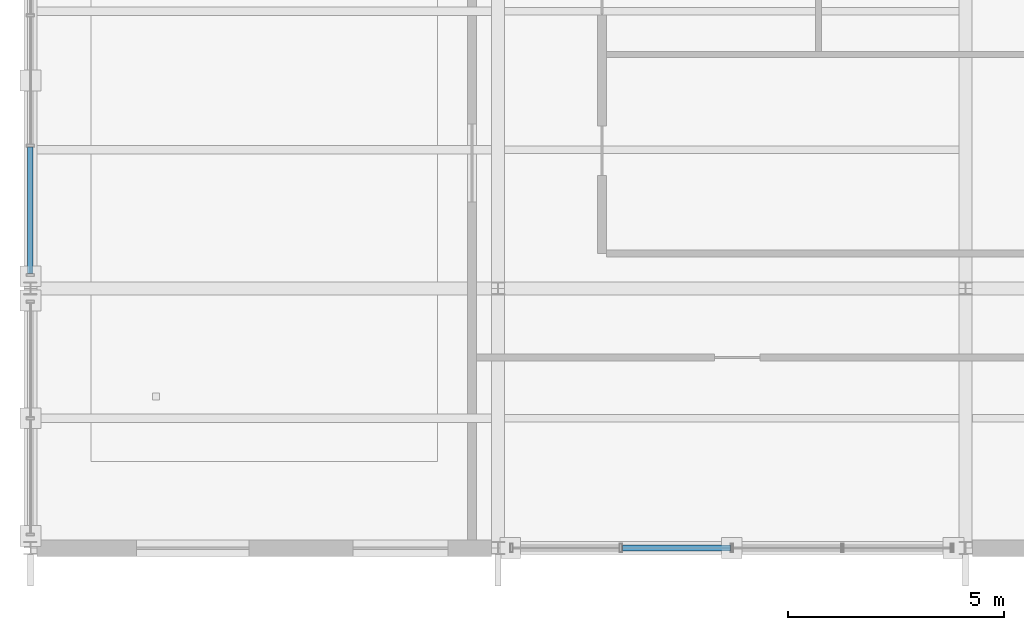
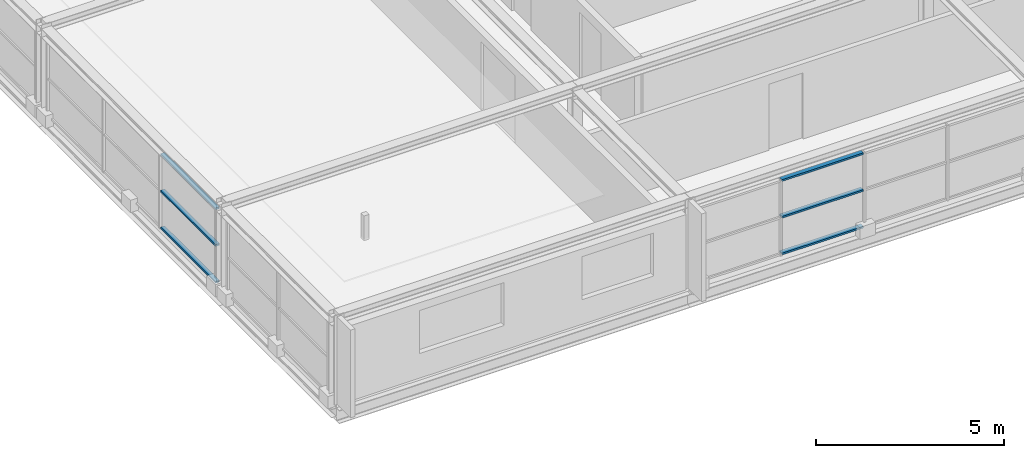
# One storey, part 4 of 14: 6 members, 2 elements without a shape of their own.
"""IFC4 building model written with IfcOpenShell, lengths in metres."""

from ifc_helpers import new_model, si_unit, direction, frame, origin, origin_2d, place, context, subcontext, project, spatial, hollow_rectangle, extrude, material, material_profile, profile_set, type_object, element, aggregate, save


model = new_model("IFC4")

# Units and contexts
model_context = context("Model", 3, precision=1e-05, world=origin(), true_north=direction((0.0, 1.0)))
body_context = subcontext(model_context, "Body", "Model", "MODEL_VIEW")
ifc_project = project(units=[si_unit("LENGTHUNIT", "METRE"), si_unit("AREAUNIT", "SQUARE_METRE"), si_unit("VOLUMEUNIT", "CUBIC_METRE"), si_unit("PLANEANGLEUNIT", "RADIAN"), si_unit("MASSUNIT", "GRAM", prefix="KILO")], contexts=[model_context])

# Site, building, storey
site_placement = place(None, origin())
site = spatial("IfcSite", under=ifc_project, at=site_placement, CompositionType="ELEMENT")
building_placement = place(site_placement, origin())
building = spatial("IfcBuilding", under=site, at=building_placement, Name="Merenkruunu Market Hall", CompositionType="ELEMENT")
storey_placement = place(building_placement, frame((0.0, 0.0, 18.60009765625)))
storey = spatial("IfcBuildingStorey", under=building, at=storey_placement, Name="L04", CompositionType="ELEMENT", Elevation=18.60009765625)

# Curtain wall, members
ifc_material = material(Name="Powder-coated aluminium", Category="aluminium")
curtain_wall_type = type_object("IfcCurtainWallType", Name="Glazed Curtain Wall CW08", PredefinedType="USERDEFINED", material=ifc_material)
curtain_wall_1_placement = place(storey_placement, origin())
curtain_wall_1 = element("IfcCurtainWall", 1, at=curtain_wall_1_placement, inside=storey, type_object=curtain_wall_type, Name="CW-L04-CWM02-226", ObjectType="GLAZED_FACADE", PredefinedType="USERDEFINED")
ifc_material_profile_1 = material_profile(ifc_material, hollow_rectangle(XDim=0.06005859375, YDim=0.125, WallThickness=0.00390625, at=origin_2d()), Name="ALU 60x125x4")
ifc_profile_set_1 = profile_set([ifc_material_profile_1], Name="Powder-coated aluminium")
member_type_1 = type_object("IfcMemberType", Name="Curtain Wall Transom CWT01", PredefinedType="USERDEFINED", material=ifc_profile_set_1)
member_1_placement = place(storey_placement, frame((159.60009765625, 6.340087890625, 0.02978515625), z_axis=(0.0, 1.0, 0.0), x_axis=(0.0, 0.0, 1.0)))
member_1 = element("IfcMember", 2, at=member_1_placement, type_object=member_type_1, Name="CW08 transom 1.1", ObjectType="TRANSOM", PredefinedType="USERDEFINED", context=body_context, shape_type="SweptSolid", body=[
    extrude(hollow_rectangle(XDim=0.06005859375, YDim=0.125, WallThickness=0.00390625, at=origin_2d()), origin(), (0.0, 0.0, 1.0), 2.92333984375),
])
member_2_placement = place(storey_placement, frame((159.60009765625, 6.340087890625, 1.224853515625), z_axis=(0.0, 1.0, 0.0), x_axis=(0.0, 0.0, 1.0)))
member_2 = element("IfcMember", 3, at=member_2_placement, type_object=member_type_1, Name="CW08 transom 1.2", ObjectType="TRANSOM", PredefinedType="USERDEFINED", context=body_context, shape_type="SweptSolid", body=[
    extrude(hollow_rectangle(XDim=0.06005859375, YDim=0.125, WallThickness=0.00390625, at=origin_2d()), origin(), (0.0, 0.0, 1.0), 2.92333984375),
])
member_3_placement = place(storey_placement, frame((159.60009765625, 6.340087890625, 2.419921875), z_axis=(0.0, 1.0, 0.0), x_axis=(0.0, 0.0, 1.0)))
member_3 = element("IfcMember", 4, at=member_3_placement, type_object=member_type_1, Name="CW08 transom 1.3", ObjectType="TRANSOM", PredefinedType="USERDEFINED", context=body_context, shape_type="SweptSolid", body=[
    extrude(hollow_rectangle(XDim=0.06005859375, YDim=0.125, WallThickness=0.00390625, at=origin_2d()), origin(), (0.0, 0.0, 1.0), 2.92333984375),
])
aggregate(curtain_wall_1, [member_1, member_2, member_3])

curtain_wall_2_placement = place(storey_placement, origin())
curtain_wall_2 = element("IfcCurtainWall", 5, at=curtain_wall_2_placement, inside=storey, type_object=curtain_wall_type, Name="CW-L04-CWM03-223", ObjectType="GLAZED_FACADE", PredefinedType="USERDEFINED")
ifc_material_profile_2 = material_profile(ifc_material, hollow_rectangle(XDim=0.06005859375, YDim=0.139892578125, WallThickness=0.00390625, at=origin_2d()), Name="ALU 60x140x4")
ifc_profile_set_2 = profile_set([ifc_material_profile_2], Name="Powder-coated aluminium")
member_type_2 = type_object("IfcMemberType", Name="Curtain Wall Transom CWT02", PredefinedType="USERDEFINED", material=ifc_profile_set_2)
member_4_placement = place(storey_placement, frame((175.77001953125, 0.0, 0.02978515625), z_axis=(-1.0, 0.0, 0.0), x_axis=(0.0, 0.0, 1.0)))
member_4 = element("IfcMember", 6, at=member_4_placement, type_object=member_type_2, Name="CW08 transom 3.1", ObjectType="TRANSOM", PredefinedType="USERDEFINED", context=body_context, shape_type="SweptSolid", body=[
    extrude(hollow_rectangle(XDim=0.06005859375, YDim=0.139892578125, WallThickness=0.00390625, at=origin_2d()), origin(), (0.0, 0.0, 1.0), 2.5),
])
member_5_placement = place(storey_placement, frame((175.77001953125, 0.0, 1.224853515625), z_axis=(-1.0, 0.0, 0.0), x_axis=(0.0, 0.0, 1.0)))
member_5 = element("IfcMember", 7, at=member_5_placement, type_object=member_type_2, Name="CW08 transom 3.2", ObjectType="TRANSOM", PredefinedType="USERDEFINED", context=body_context, shape_type="SweptSolid", body=[
    extrude(hollow_rectangle(XDim=0.06005859375, YDim=0.139892578125, WallThickness=0.00390625, at=origin_2d()), origin(), (0.0, 0.0, 1.0), 2.5),
])
member_6_placement = place(storey_placement, frame((175.77001953125, 0.0, 2.419921875), z_axis=(-1.0, 0.0, 0.0), x_axis=(0.0, 0.0, 1.0)))
member_6 = element("IfcMember", 8, at=member_6_placement, type_object=member_type_2, Name="CW08 transom 3.3", ObjectType="TRANSOM", PredefinedType="USERDEFINED", context=body_context, shape_type="SweptSolid", body=[
    extrude(hollow_rectangle(XDim=0.06005859375, YDim=0.139892578125, WallThickness=0.00390625, at=origin_2d()), origin(), (0.0, 0.0, 1.0), 2.5),
])
aggregate(curtain_wall_2, [member_4, member_5, member_6])

save(model, "model.ifc")
